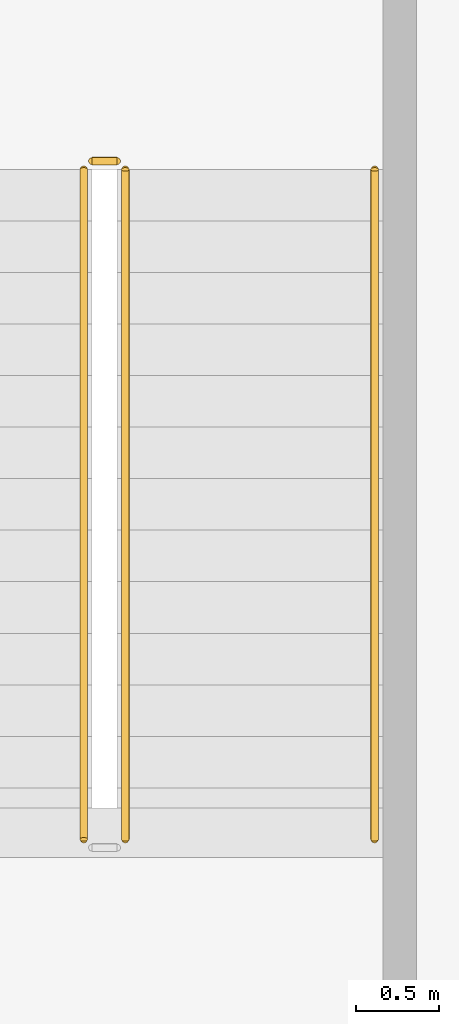
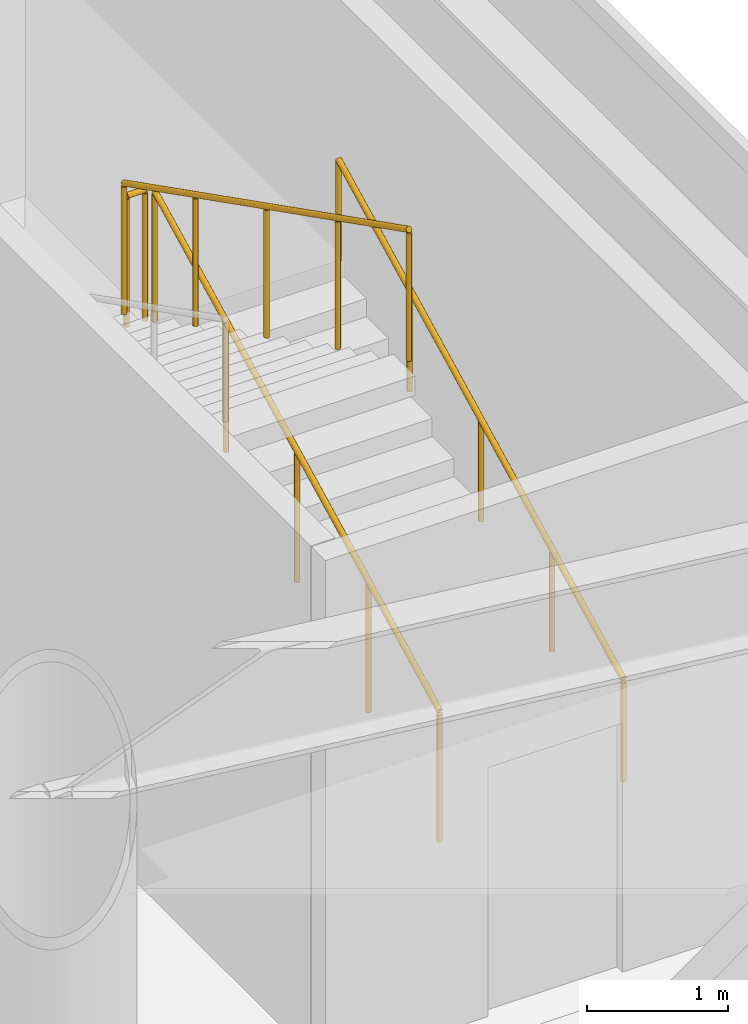
# One storey, part 24 of 24: 4 railings.
"""IFC4 building model written with IfcOpenShell, lengths in metres."""

from ifc_helpers import new_model, si_unit, direction, frame, origin, origin_2d, place, context, subcontext, project, spatial, circle, extrude, material, type_object, element, save


model = new_model("IFC4")

# Units and contexts
model_context = context("Model", 3, precision=1e-05, world=origin(), true_north=direction((0.0, 1.0)))
body_context = subcontext(model_context, "Body", "Model", "MODEL_VIEW")
ifc_project = project(units=[si_unit("LENGTHUNIT", "METRE"), si_unit("AREAUNIT", "SQUARE_METRE"), si_unit("VOLUMEUNIT", "CUBIC_METRE"), si_unit("PLANEANGLEUNIT", "RADIAN"), si_unit("MASSUNIT", "GRAM", prefix="KILO")], contexts=[model_context])

# Site, building, storey
site_placement = place(None, origin())
site = spatial("IfcSite", under=ifc_project, at=site_placement, CompositionType="ELEMENT")
building_placement = place(site_placement, origin())
building = spatial("IfcBuilding", under=site, at=building_placement, Name="Vaeldorn Concourse Tower", CompositionType="ELEMENT")
storey_placement = place(building_placement, frame((0.0, 0.0, 5.60009765625)))
storey = spatial("IfcBuildingStorey", under=building, at=storey_placement, Name="L01", CompositionType="ELEMENT", Elevation=5.60009765625)

# Railings
ifc_material = material(Name="Anodised Bronze Aluminium", Category="aluminium")
railing_type_1 = type_object("IfcRailingType", Name="RL-STAIR-GUARD", PredefinedType="GUARDRAIL", material=ifc_material)
railing_1_placement = place(storey_placement, frame((64.699951171875, 38.449951171875, 0.156982421875)))
element("IfcRailing", 1, at=railing_1_placement, inside=storey, type_object=railing_type_1, Name="L01 ST-4 stair guard 1", PredefinedType="GUARDRAIL", context=body_context, shape_type="SweptSolid", body=[
    extrude(circle(Radius=0.02392578125, at=origin_2d()), frame((0.0, 0.0, 1.1259765625), z_axis=(0.0, 0.891938740464, 0.452156259781), x_axis=(-1.0, 0.0, 0.0)), (0.0, 0.0, 1.0), 4.518310546875),
    extrude(circle(Radius=0.02099609375, at=origin_2d()), origin(), (0.0, 0.0, 1.0), 1.101806640625),
    extrude(circle(Radius=0.02099609375, at=origin_2d()), frame((0.0, 1.007568359375, 0.5107421875)), (0.0, 0.0, 1.0), 1.101806640625),
    extrude(circle(Radius=0.02099609375, at=origin_2d()), frame((0.0, 2.01513671875, 1.021484375)), (0.0, 0.0, 1.0), 1.101806640625),
    extrude(circle(Radius=0.02099609375, at=origin_2d()), frame((0.0, 3.0224609375, 1.5322265625)), (0.0, 0.0, 1.0), 1.101806640625),
    extrude(circle(Radius=0.02099609375, at=origin_2d()), frame((0.0, 4.030029296875, 2.04296875)), (0.0, 0.0, 1.0), 1.101806640625),
])
railing_2_placement = place(storey_placement, frame((64.64990234375, 42.530029296875, 2.199951171875)))
element("IfcRailing", 2, at=railing_2_placement, inside=storey, type_object=railing_type_1, Name="L01 ST-4 stair guard 2", PredefinedType="GUARDRAIL", context=body_context, shape_type="SweptSolid", body=[
    extrude(circle(Radius=0.02392578125, at=origin_2d()), frame((0.0, 0.0, 1.1259765625), z_axis=(-1.0, 0.0, 0.0), x_axis=(0.0, -1.0, 0.0)), (0.0, 0.0, 1.0), 0.14990234375),
    extrude(circle(Radius=0.02099609375, at=origin_2d()), origin(), (0.0, 0.0, 1.0), 1.101806640625),
    extrude(circle(Radius=0.02099609375, at=origin_2d()), frame((-0.14990234375, 0.0, 0.0)), (0.0, 0.0, 1.0), 1.101806640625),
])
railing_3_placement = place(storey_placement, frame((64.449951171875, 42.47998046875, 2.35693359375)))
element("IfcRailing", 3, at=railing_3_placement, inside=storey, type_object=railing_type_1, Name="L01 ST-4 stair guard 3", PredefinedType="GUARDRAIL", context=body_context, shape_type="SweptSolid", body=[
    extrude(circle(Radius=0.02392578125, at=origin_2d()), frame((0.0, 0.0, 1.1259765625), z_axis=(0.0, -0.891938740464, 0.452156259781), x_axis=(1.0, 0.0, 0.0)), (0.0, 0.0, 1.0), 4.518310546875),
    extrude(circle(Radius=0.02099609375, at=origin_2d()), origin(), (0.0, 0.0, 1.0), 1.101806640625),
    extrude(circle(Radius=0.02099609375, at=origin_2d()), frame((0.0, -1.007568359375, 0.5107421875)), (0.0, 0.0, 1.0), 1.101806640625),
    extrude(circle(Radius=0.02099609375, at=origin_2d()), frame((0.0, -2.01513671875, 1.021484375)), (0.0, 0.0, 1.0), 1.101806640625),
    extrude(circle(Radius=0.02099609375, at=origin_2d()), frame((0.0, -3.0224609375, 1.5322265625)), (0.0, 0.0, 1.0), 1.101806640625),
    extrude(circle(Radius=0.02099609375, at=origin_2d()), frame((0.0, -4.030029296875, 2.04296875)), (0.0, 0.0, 1.0), 1.101806640625),
])
railing_type_2 = type_object("IfcRailingType", Name="RL-STAIR-HANDRAIL", PredefinedType="HANDRAIL", material=ifc_material)
railing_4_placement = place(storey_placement, frame((66.199951171875, 38.449951171875, 0.156982421875)))
element("IfcRailing", 4, at=railing_4_placement, inside=storey, type_object=railing_type_2, Name="L01 ST-4 stair handrail 1", PredefinedType="HANDRAIL", context=body_context, shape_type="SweptSolid", body=[
    extrude(circle(Radius=0.02392578125, at=origin_2d()), frame((0.0, 0.0, 0.8759765625), z_axis=(0.0, 0.891938740464, 0.452156259781), x_axis=(-1.0, 0.0, 0.0)), (0.0, 0.0, 1.0), 4.518310546875),
    extrude(circle(Radius=0.02099609375, at=origin_2d()), origin(), (0.0, 0.0, 1.0), 0.851806640625),
    extrude(circle(Radius=0.02099609375, at=origin_2d()), frame((0.0, 1.007568359375, 0.5107421875)), (0.0, 0.0, 1.0), 0.851806640625),
    extrude(circle(Radius=0.02099609375, at=origin_2d()), frame((0.0, 2.01513671875, 1.021484375)), (0.0, 0.0, 1.0), 0.851806640625),
    extrude(circle(Radius=0.02099609375, at=origin_2d()), frame((0.0, 3.0224609375, 1.5322265625)), (0.0, 0.0, 1.0), 0.851806640625),
    extrude(circle(Radius=0.02099609375, at=origin_2d()), frame((0.0, 4.030029296875, 2.04296875)), (0.0, 0.0, 1.0), 0.851806640625),
])

save(model, "model.ifc")
